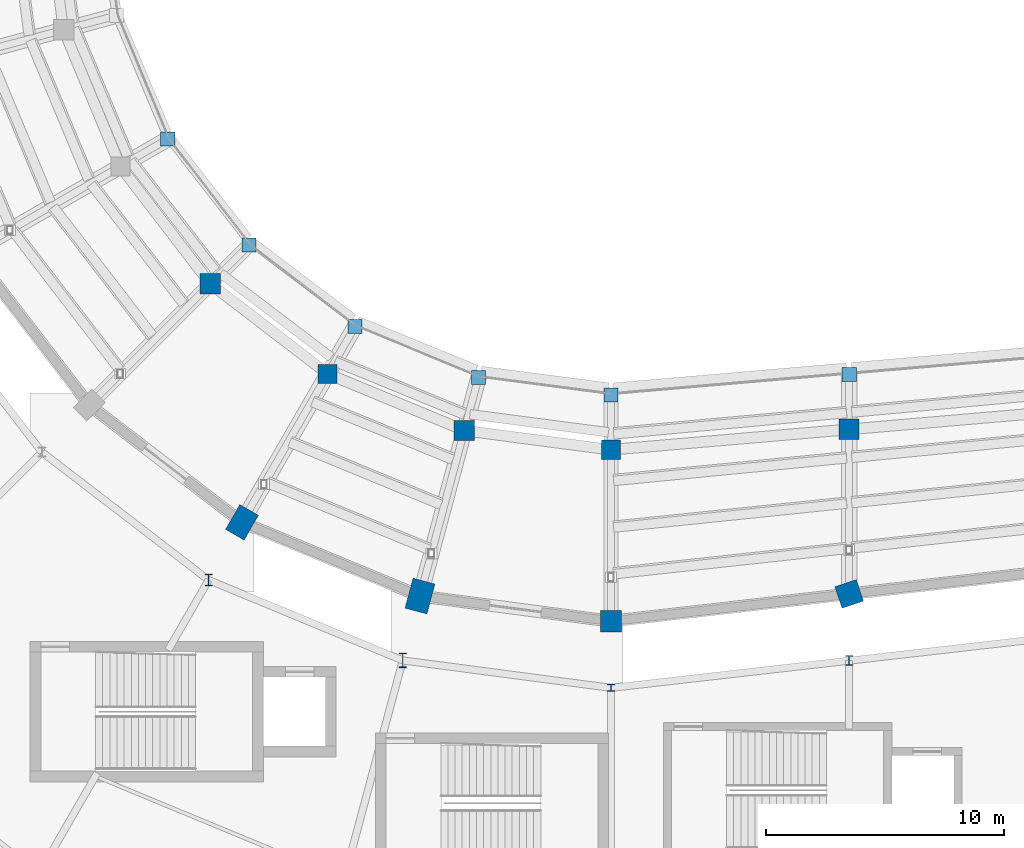
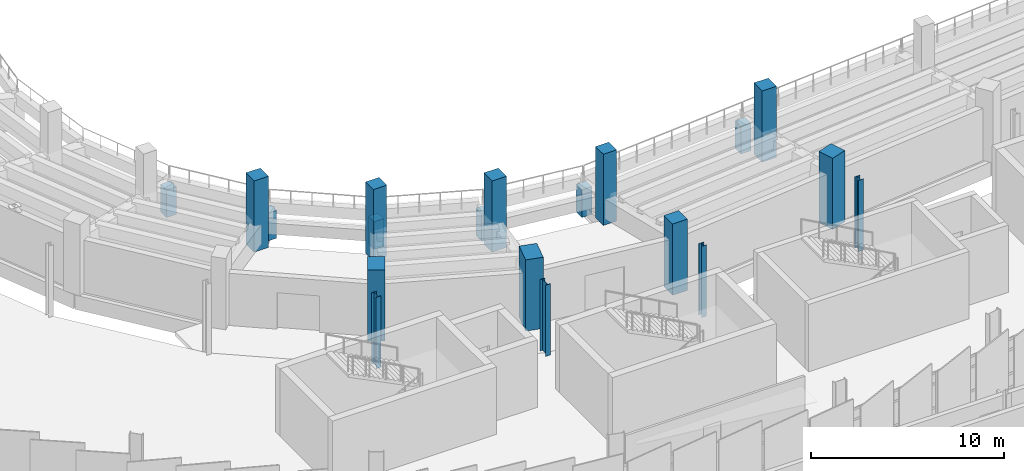
# One storey, part 7 of 120: 19 columns.
"""IFC4 building model written with IfcOpenShell, lengths in metres."""

from ifc_helpers import new_model, si_unit, direction, frame, origin, origin_2d, place, context, subcontext, project, spatial, rectangle, i_section, extrude, material, material_profile, profile_set, type_object, element, save


model = new_model("IFC4")

# Units and contexts
model_context = context("Model", 3, precision=1e-05, world=origin(), true_north=direction((0.0, 1.0)))
body_context = subcontext(model_context, "Body", "Model", "MODEL_VIEW")
ifc_project = project(units=[si_unit("LENGTHUNIT", "METRE"), si_unit("AREAUNIT", "SQUARE_METRE"), si_unit("VOLUMEUNIT", "CUBIC_METRE"), si_unit("PLANEANGLEUNIT", "RADIAN"), si_unit("MASSUNIT", "GRAM", prefix="KILO")], contexts=[model_context])

# Site, building, storey
site_placement = place(None, origin())
site = spatial("IfcSite", under=ifc_project, at=site_placement, CompositionType="ELEMENT")
building_placement = place(site_placement, origin())
building = spatial("IfcBuilding", under=site, at=building_placement, Name="Sohan Crest Arena", CompositionType="ELEMENT")
storey_placement = place(building_placement, frame((0.0, 0.0, 13.5)))
storey = spatial("IfcBuildingStorey", under=building, at=storey_placement, Name="L03", CompositionType="ELEMENT", Elevation=13.5)

# Columns
ifc_material_1 = material(Name="Concrete C40/50", Category="concrete")
ifc_material_profile_1 = material_profile(ifc_material_1, rectangle(XDim=0.60009765625, YDim=0.60009765625, at=origin_2d()), Name="RC 600x600")
ifc_profile_set_1 = profile_set([ifc_material_profile_1], Name="Concrete C40/50")
column_type_1 = type_object("IfcColumnType", Name="STR-COL-C01", PredefinedType="COLUMN", material=ifc_profile_set_1)
for number, where, z_axis, x_axis, name in (
    (1, (79.381103515625, 67.25, -1.0), (0.0, 0.0, 1.0), (1.0, 0.0, 0.0), "Upper tier nose support column RKP-N09"),
    (2, (82.797119140625, 62.797119140625, -1.0), (0.0, 0.0, 1.0), (1.0, 0.0, 0.0), "Upper tier nose support column RKP-N10"),
    (3, (87.25, 59.381103515625, -1.0), (0.0, 0.0, 1.0), (1.0, 0.0, 0.0), "Upper tier nose support column RKP-N11"),
    (4, (92.43505859375, 57.23291015625, -1.0), (0.0, 0.0, 1.0), (1.0, 0.0, 0.0), "Upper tier nose support column RKP-N12"),
    (5, (98.0, 56.5, -1.0), (0.0, 0.0, 1.0), (1.0, 0.0, 0.0), "Upper tier nose support column RKP-N13"),
    (6, (108.0, 57.35693359375, -1.0), (0.0, 0.0, 1.0), (1.0, 0.0, 0.0), "Upper tier nose support column RKP-N14"),
):
    element("IfcColumn", number, at=place(storey_placement, frame(where, z_axis=z_axis, x_axis=x_axis)), inside=storey, type_object=column_type_1, Name=name, PredefinedType="COLUMN", context=body_context, shape_type="SweptSolid", body=[
        extrude(rectangle(XDim=0.60009765625, YDim=0.60009765625, at=origin_2d()), origin(), (0.0, 0.0, 1.0), 1.75),
    ])
ifc_material_profile_2 = material_profile(ifc_material_1, rectangle(XDim=0.800048828125, YDim=0.800048828125, at=origin_2d()), Name="RC 800x800")
ifc_profile_set_2 = profile_set([ifc_material_profile_2], Name="Concrete C40/50")
column_type_2 = type_object("IfcColumnType", Name="STR-COL-C05", PredefinedType="COLUMN", material=ifc_profile_set_2)
for number, where, z_axis, x_axis, name in (
    (7, (86.10009765625, 57.388916015625, 0.0), (0.0, 0.0, 1.0), (1.0, 0.0, 0.0), "Structural column COL-V1M-11-L03"),
    (8, (98.0, 54.199951171875, 0.0), (0.0, 0.0, 1.0), (1.0, 0.0, 0.0), "Structural column COL-V1M-13-L03"),
):
    element("IfcColumn", number, at=place(storey_placement, frame(where, z_axis=z_axis, x_axis=x_axis)), inside=storey, type_object=column_type_2, Name=name, PredefinedType="COLUMN", context=body_context, shape_type="SweptSolid", body=[
        extrude(rectangle(XDim=0.800048828125, YDim=0.800048828125, at=origin_2d()), origin(), (0.0, 0.0, 1.0), 4.5),
    ])
ifc_material_profile_3 = material_profile(ifc_material_1, rectangle(XDim=0.85009765625, YDim=0.85009765625, at=origin_2d()), Name="RC 850x850")
ifc_profile_set_3 = profile_set([ifc_material_profile_3], Name="Concrete C40/50")
column_type_3 = type_object("IfcColumnType", Name="STR-COL-C06", PredefinedType="COLUMN", material=ifc_profile_set_3)
for number, where, z_axis, x_axis, name in (
    (9, (81.1708984375, 61.1708984375, 0.0), (0.0, 0.0, 1.0), (1.0, 0.0, 0.0), "Structural column COL-V1M-10-L03"),
    (10, (91.840087890625, 55.010986328125, 0.0), (0.0, 0.0, 1.0), (1.0, 0.0, 0.0), "Structural column COL-V1M-12-L03"),
    (11, (108.0, 55.056884765625, 0.0), (0.0, 0.0, 1.0), (1.0, 0.0, 0.0), "Structural column COL-V1M-14-L03"),
):
    element("IfcColumn", number, at=place(storey_placement, frame(where, z_axis=z_axis, x_axis=x_axis)), inside=storey, type_object=column_type_3, Name=name, PredefinedType="COLUMN", context=body_context, shape_type="SweptSolid", body=[
        extrude(rectangle(XDim=0.85009765625, YDim=0.85009765625, at=origin_2d()), origin(), (0.0, 0.0, 1.0), 4.5),
    ])
ifc_material_profile_4 = material_profile(ifc_material_1, rectangle(XDim=0.89990234375, YDim=0.89990234375, at=origin_2d()), Name="RC 900x900")
ifc_profile_set_4 = profile_set([ifc_material_profile_4], Name="Concrete C40/50")
column_type_4 = type_object("IfcColumnType", Name="STR-COL-C07", PredefinedType="COLUMN", material=ifc_profile_set_4)
column_1_placement = place(storey_placement, frame((98.0, 47.0, 0.0), z_axis=(0.0, 0.0, 1.0), x_axis=(0.0, 1.0, 0.0)))
element("IfcColumn", 12, at=column_1_placement, inside=storey, type_object=column_type_4, Name="Structural column COL-V1R-13-L03", PredefinedType="COLUMN", context=body_context, shape_type="SweptSolid", body=[
    extrude(rectangle(XDim=0.89990234375, YDim=0.89990234375, at=origin_2d()), origin(), (0.0, 0.0, 1.0), 4.5),
])
ifc_material_profile_5 = material_profile(ifc_material_1, rectangle(XDim=0.949951171875, YDim=0.949951171875, at=origin_2d()), Name="RC 950x950")
ifc_profile_set_5 = profile_set([ifc_material_profile_5], Name="Concrete C40/50")
column_type_5 = type_object("IfcColumnType", Name="STR-COL-C08", PredefinedType="COLUMN", material=ifc_profile_set_5)
column_2_placement = place(storey_placement, frame((108.0, 48.14306640625, 0.0), z_axis=(0.0, 0.0, 1.0), x_axis=(-0.317304656405, 0.948323655206, 0.0)))
element("IfcColumn", 13, at=column_2_placement, inside=storey, type_object=column_type_5, Name="Structural column COL-V1R-14-L03", PredefinedType="COLUMN", context=body_context, shape_type="SweptSolid", body=[
    extrude(rectangle(XDim=0.949951171875, YDim=0.949951171875, at=origin_2d()), origin(), (0.0, 0.0, 1.0), 4.5),
])
ifc_material_profile_6 = material_profile(ifc_material_1, rectangle(XDim=1.199951171875, YDim=0.89990234375, at=origin_2d()), Name="RC 1200x900")
ifc_profile_set_6 = profile_set([ifc_material_profile_6], Name="Concrete C40/50")
column_type_6 = type_object("IfcColumnType", Name="STR-COL-C11", PredefinedType="COLUMN", material=ifc_profile_set_6)
column_3_placement = place(storey_placement, frame((82.5, 51.153076171875, 0.0), z_axis=(0.0, 0.0, 1.0), x_axis=(0.5, 0.866025403784, 0.0)))
element("IfcColumn", 14, at=column_3_placement, inside=storey, type_object=column_type_6, Name="Structural column COL-V1R-11-L03", PredefinedType="COLUMN", context=body_context, shape_type="SweptSolid", body=[
    extrude(rectangle(XDim=1.199951171875, YDim=0.89990234375, at=origin_2d()), origin(), (0.0, 0.0, 1.0), 4.5),
])
ifc_material_profile_7 = material_profile(ifc_material_1, rectangle(XDim=1.300048828125, YDim=0.949951171875, at=origin_2d()), Name="RC 1300x950")
ifc_profile_set_7 = profile_set([ifc_material_profile_7], Name="Concrete C40/50")
column_type_7 = type_object("IfcColumnType", Name="STR-COL-C12", PredefinedType="COLUMN", material=ifc_profile_set_7)
column_4_placement = place(storey_placement, frame((89.97705078125, 48.055908203125, 0.0), z_axis=(0.0, 0.0, 1.0), x_axis=(0.258819045103, 0.965925826289, 0.0)))
element("IfcColumn", 15, at=column_4_placement, inside=storey, type_object=column_type_7, Name="Structural column COL-V1R-12-L03", PredefinedType="COLUMN", context=body_context, shape_type="SweptSolid", body=[
    extrude(rectangle(XDim=1.300048828125, YDim=0.949951171875, at=origin_2d()), origin(), (0.0, 0.0, 1.0), 4.5),
])
ifc_material_2 = material(Name="Steel S355", Category="steel")
ifc_material_profile_8 = material_profile(ifc_material_2, i_section(OverallWidth=0.300048828125, OverallDepth=0.300048828125, WebThickness=0.010986328125, FlangeThickness=0.01904296875, at=origin_2d()), Name="HEB 300")
ifc_profile_set_8 = profile_set([ifc_material_profile_8], Name="Steel S355")
column_type_8 = type_object("IfcColumnType", Name="STR-COL-C17", PredefinedType="COLUMN", material=ifc_profile_set_8)
column_5_placement = place(storey_placement, frame((98.0, 44.199951171875, 0.0), z_axis=(0.0, 0.0, 1.0), x_axis=(1.0, 0.0, 0.0)))
element("IfcColumn", 16, at=column_5_placement, inside=storey, type_object=column_type_8, Name="Structural column COL-V2I-13-L03", PredefinedType="COLUMN", context=body_context, shape_type="SweptSolid", body=[
    extrude(i_section(OverallWidth=0.300048828125, OverallDepth=0.300048828125, WebThickness=0.010986328125, FlangeThickness=0.01904296875, at=origin_2d()), origin(), (0.0, 0.0, 1.0), 4.5),
])
ifc_material_profile_9 = material_profile(ifc_material_2, i_section(OverallWidth=0.300048828125, OverallDepth=0.39990234375, WebThickness=0.013427734375, FlangeThickness=0.02392578125, at=origin_2d()), Name="HEB 400")
ifc_profile_set_9 = profile_set([ifc_material_profile_9], Name="Steel S355")
column_type_9 = type_object("IfcColumnType", Name="STR-COL-C18", PredefinedType="COLUMN", material=ifc_profile_set_9)
column_6_placement = place(storey_placement, frame((108.0, 45.343017578125, 0.0), z_axis=(0.0, 0.0, 1.0), x_axis=(1.0, 0.0, 0.0)))
element("IfcColumn", 17, at=column_6_placement, inside=storey, type_object=column_type_9, Name="Structural column COL-V2I-14-L03", PredefinedType="COLUMN", context=body_context, shape_type="SweptSolid", body=[
    extrude(i_section(OverallWidth=0.300048828125, OverallDepth=0.39990234375, WebThickness=0.013427734375, FlangeThickness=0.02392578125, at=origin_2d()), origin(), (0.0, 0.0, 1.0), 4.5),
])
ifc_material_profile_10 = material_profile(ifc_material_2, i_section(OverallWidth=0.300048828125, OverallDepth=0.5, WebThickness=0.014404296875, FlangeThickness=0.028076171875, at=origin_2d()), Name="HEB 500")
ifc_profile_set_10 = profile_set([ifc_material_profile_10], Name="Steel S355")
column_type_10 = type_object("IfcColumnType", Name="STR-COL-C19", PredefinedType="COLUMN", material=ifc_profile_set_10)
column_7_placement = place(storey_placement, frame((81.10009765625, 48.72802734375, 0.0), z_axis=(0.0, 0.0, 1.0), x_axis=(1.0, 0.0, 0.0)))
element("IfcColumn", 18, at=column_7_placement, inside=storey, type_object=column_type_10, Name="Structural column COL-V2I-11-L03", PredefinedType="COLUMN", context=body_context, shape_type="SweptSolid", body=[
    extrude(i_section(OverallWidth=0.300048828125, OverallDepth=0.5, WebThickness=0.014404296875, FlangeThickness=0.028076171875, at=origin_2d()), origin(), (0.0, 0.0, 1.0), 4.5),
])
ifc_material_profile_11 = material_profile(ifc_material_2, i_section(OverallWidth=0.300048828125, OverallDepth=0.60009765625, WebThickness=0.015380859375, FlangeThickness=0.030029296875, at=origin_2d()), Name="HEB 600")
ifc_profile_set_11 = profile_set([ifc_material_profile_11], Name="Steel S355")
column_type_11 = type_object("IfcColumnType", Name="STR-COL-C20", PredefinedType="COLUMN", material=ifc_profile_set_11)
column_8_placement = place(storey_placement, frame((89.251953125, 45.35205078125, 0.0), z_axis=(0.0, 0.0, 1.0), x_axis=(1.0, 0.0, 0.0)))
element("IfcColumn", 19, at=column_8_placement, inside=storey, type_object=column_type_11, Name="Structural column COL-V2I-12-L03", PredefinedType="COLUMN", context=body_context, shape_type="SweptSolid", body=[
    extrude(i_section(OverallWidth=0.300048828125, OverallDepth=0.60009765625, WebThickness=0.015380859375, FlangeThickness=0.030029296875, at=origin_2d()), origin(), (0.0, 0.0, 1.0), 4.5),
])

save(model, "model.ifc")
